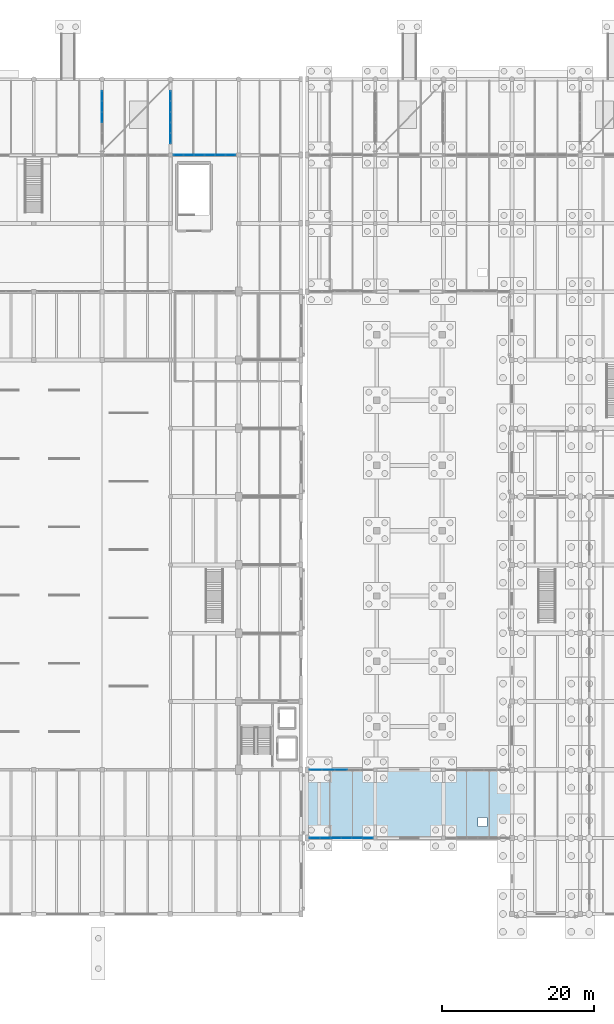
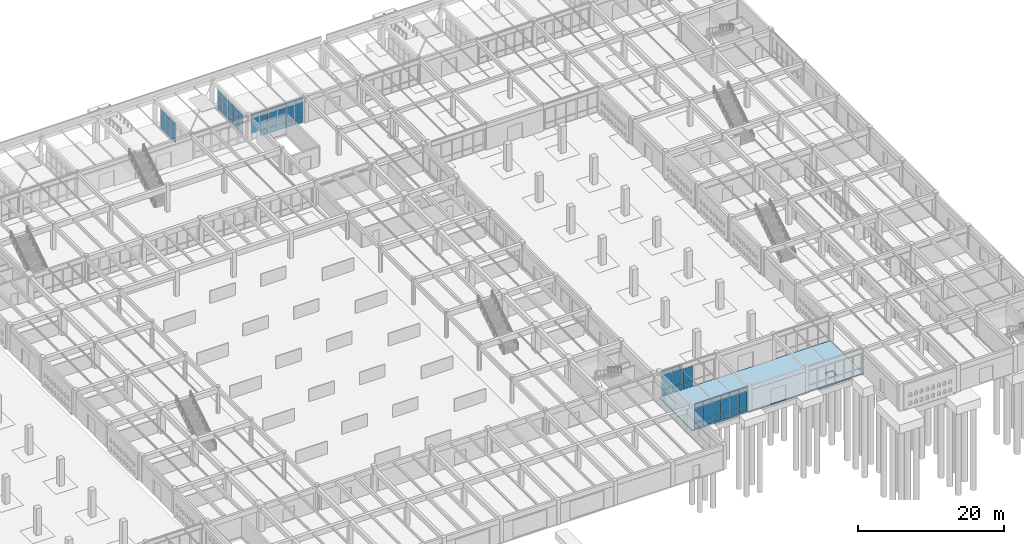
# One storey, part 150 of 186: 67 plates, 1 slab, 5 elements without a shape of their own.
"""IFC4 building model written with IfcOpenShell, lengths in metres."""

from ifc_helpers import new_model, si_unit, direction, frame, origin, origin_2d, place, context, subcontext, project, spatial, polyline, rectangle, outline, extrude, material, layer, layer_set, type_object, element, aggregate, save


model = new_model("IFC4")

# Units and contexts
model_context = context("Model", 3, precision=1e-05, world=origin(), true_north=direction((0.0, 1.0)))
body_context = subcontext(model_context, "Body", "Model", "MODEL_VIEW")
ifc_project = project(units=[si_unit("LENGTHUNIT", "METRE"), si_unit("AREAUNIT", "SQUARE_METRE"), si_unit("VOLUMEUNIT", "CUBIC_METRE"), si_unit("PLANEANGLEUNIT", "RADIAN"), si_unit("MASSUNIT", "GRAM", prefix="KILO")], contexts=[model_context])

# Site, building, storey
site_placement = place(None, origin())
site = spatial("IfcSite", under=ifc_project, at=site_placement, CompositionType="ELEMENT")
building_placement = place(site_placement, origin())
building = spatial("IfcBuilding", under=site, at=building_placement, Name="Ornek Quay Market", CompositionType="ELEMENT")
storey_placement = place(building_placement, origin())
storey = spatial("IfcBuildingStorey", under=building, at=storey_placement, Name="L00", CompositionType="ELEMENT", Elevation=0.0)

# Curtain wall, plates
ifc_material_1 = material(Name="Anodised bronze aluminium and triple low-e glass", Category="aluminium")
ifc_layer_1 = layer(ifc_material_1, 0.179931640625, Name="Anodised bronze aluminium and triple low-e glass", Category="aluminium")
ifc_layer_set_1 = layer_set([ifc_layer_1], Name="Anodised bronze aluminium and triple low-e glass")
curtain_wall_type_1 = type_object("IfcCurtainWallType", Name="CW-CONC-MOD1500", PredefinedType="USERDEFINED", material=ifc_layer_set_1)
curtain_wall_1_placement = place(storey_placement, origin())
curtain_wall_1 = element("IfcCurtainWall", 1, at=curtain_wall_1_placement, inside=storey, type_object=curtain_wall_type_1, Name="Curtain wall CW-028", ObjectType="CURTAIN WALL", PredefinedType="USERDEFINED")
ifc_material_2 = material(Name="Triple insulated low-e glass", Category="glass")
ifc_layer_2 = layer(ifc_material_2, 0.035888671875, Name="Triple insulated low-e glass", Category="glass")
ifc_layer_set_2 = layer_set([ifc_layer_2], Name="Triple insulated low-e glass")
plate_type_1 = type_object("IfcPlateType", Name="PL-CW-TRIPLE-36", PredefinedType="CURTAIN_PANEL", material=ifc_layer_set_2)
plate_1_placement = place(storey_placement, frame((127.014892578125, 20.0, 0.06005859375), z_axis=(0.0, 0.0, 1.0), x_axis=(1.0, 0.0, 0.0)))
plate_1 = element("IfcPlate", 2, at=plate_1_placement, type_object=plate_type_1, Name="CW-028 panel 1.1", PredefinedType="CURTAIN_PANEL", context=body_context, shape_type="SweptSolid", body=[
    extrude(rectangle(XDim=1.31005859375, YDim=0.035888671875, at=origin_2d()), origin(), (0.0, 0.0, 1.0), 0.9599609375),
])
plate_2_placement = place(storey_placement, frame((127.014892578125, 20.0, 1.080078125), z_axis=(0.0, 0.0, 1.0), x_axis=(1.0, 0.0, 0.0)))
plate_2 = element("IfcPlate", 3, at=plate_2_placement, type_object=plate_type_1, Name="CW-028 panel 1.2", PredefinedType="CURTAIN_PANEL", context=body_context, shape_type="SweptSolid", body=[
    extrude(rectangle(XDim=1.31005859375, YDim=0.035888671875, at=origin_2d()), origin(), (0.0, 0.0, 1.0), 2.31005859375),
])
plate_3_placement = place(storey_placement, frame((127.014892578125, 20.0, 3.4501953125), z_axis=(0.0, 0.0, 1.0), x_axis=(1.0, 0.0, 0.0)))
plate_3 = element("IfcPlate", 4, at=plate_3_placement, type_object=plate_type_1, Name="CW-028 panel 1.3", PredefinedType="CURTAIN_PANEL", context=body_context, shape_type="SweptSolid", body=[
    extrude(rectangle(XDim=1.31005859375, YDim=0.035888671875, at=origin_2d()), origin(), (0.0, 0.0, 1.0), 0.760009765625),
])
plate_4_placement = place(storey_placement, frame((128.39990234375, 20.0, 0.06005859375), z_axis=(0.0, 0.0, 1.0), x_axis=(1.0, 0.0, 0.0)))
plate_4 = element("IfcPlate", 5, at=plate_4_placement, type_object=plate_type_1, Name="CW-028 panel 2.1", PredefinedType="CURTAIN_PANEL", context=body_context, shape_type="SweptSolid", body=[
    extrude(rectangle(XDim=1.340087890625, YDim=0.035888671875, at=origin_2d()), origin(), (0.0, 0.0, 1.0), 0.9599609375),
])
plate_5_placement = place(storey_placement, frame((128.39990234375, 20.0, 1.080078125), z_axis=(0.0, 0.0, 1.0), x_axis=(1.0, 0.0, 0.0)))
plate_5 = element("IfcPlate", 6, at=plate_5_placement, type_object=plate_type_1, Name="CW-028 panel 2.2", PredefinedType="CURTAIN_PANEL", context=body_context, shape_type="SweptSolid", body=[
    extrude(rectangle(XDim=1.340087890625, YDim=0.035888671875, at=origin_2d()), origin(), (0.0, 0.0, 1.0), 2.31005859375),
])
plate_6_placement = place(storey_placement, frame((128.39990234375, 20.0, 3.4501953125), z_axis=(0.0, 0.0, 1.0), x_axis=(1.0, 0.0, 0.0)))
plate_6 = element("IfcPlate", 7, at=plate_6_placement, type_object=plate_type_1, Name="CW-028 panel 2.3", PredefinedType="CURTAIN_PANEL", context=body_context, shape_type="SweptSolid", body=[
    extrude(rectangle(XDim=1.340087890625, YDim=0.035888671875, at=origin_2d()), origin(), (0.0, 0.0, 1.0), 0.760009765625),
])
plate_7_placement = place(storey_placement, frame((129.800048828125, 20.0, 0.06005859375), z_axis=(0.0, 0.0, 1.0), x_axis=(1.0, 0.0, 0.0)))
plate_7 = element("IfcPlate", 8, at=plate_7_placement, type_object=plate_type_1, Name="CW-028 panel 3.1", PredefinedType="CURTAIN_PANEL", context=body_context, shape_type="SweptSolid", body=[
    extrude(rectangle(XDim=1.340087890625, YDim=0.035888671875, at=origin_2d()), origin(), (0.0, 0.0, 1.0), 0.9599609375),
])
plate_8_placement = place(storey_placement, frame((129.800048828125, 20.0, 1.080078125), z_axis=(0.0, 0.0, 1.0), x_axis=(1.0, 0.0, 0.0)))
plate_8 = element("IfcPlate", 9, at=plate_8_placement, type_object=plate_type_1, Name="CW-028 panel 3.2", PredefinedType="CURTAIN_PANEL", context=body_context, shape_type="SweptSolid", body=[
    extrude(rectangle(XDim=1.340087890625, YDim=0.035888671875, at=origin_2d()), origin(), (0.0, 0.0, 1.0), 2.31005859375),
])
plate_9_placement = place(storey_placement, frame((129.800048828125, 20.0, 3.4501953125), z_axis=(0.0, 0.0, 1.0), x_axis=(1.0, 0.0, 0.0)))
plate_9 = element("IfcPlate", 10, at=plate_9_placement, type_object=plate_type_1, Name="CW-028 panel 3.3", PredefinedType="CURTAIN_PANEL", context=body_context, shape_type="SweptSolid", body=[
    extrude(rectangle(XDim=1.340087890625, YDim=0.035888671875, at=origin_2d()), origin(), (0.0, 0.0, 1.0), 0.760009765625),
])
plate_10_placement = place(storey_placement, frame((131.199951171875, 20.0, 0.06005859375), z_axis=(0.0, 0.0, 1.0), x_axis=(1.0, 0.0, 0.0)))
plate_10 = element("IfcPlate", 11, at=plate_10_placement, type_object=plate_type_1, Name="CW-028 panel 4.1", PredefinedType="CURTAIN_PANEL", context=body_context, shape_type="SweptSolid", body=[
    extrude(rectangle(XDim=1.340087890625, YDim=0.035888671875, at=origin_2d()), origin(), (0.0, 0.0, 1.0), 0.9599609375),
])
plate_11_placement = place(storey_placement, frame((131.199951171875, 20.0, 1.080078125), z_axis=(0.0, 0.0, 1.0), x_axis=(1.0, 0.0, 0.0)))
plate_11 = element("IfcPlate", 12, at=plate_11_placement, type_object=plate_type_1, Name="CW-028 panel 4.2", PredefinedType="CURTAIN_PANEL", context=body_context, shape_type="SweptSolid", body=[
    extrude(rectangle(XDim=1.340087890625, YDim=0.035888671875, at=origin_2d()), origin(), (0.0, 0.0, 1.0), 2.31005859375),
])
plate_12_placement = place(storey_placement, frame((131.199951171875, 20.0, 3.4501953125), z_axis=(0.0, 0.0, 1.0), x_axis=(1.0, 0.0, 0.0)))
plate_12 = element("IfcPlate", 13, at=plate_12_placement, type_object=plate_type_1, Name="CW-028 panel 4.3", PredefinedType="CURTAIN_PANEL", context=body_context, shape_type="SweptSolid", body=[
    extrude(rectangle(XDim=1.340087890625, YDim=0.035888671875, at=origin_2d()), origin(), (0.0, 0.0, 1.0), 0.760009765625),
])
plate_13_placement = place(storey_placement, frame((132.60009765625, 20.0, 0.06005859375), z_axis=(0.0, 0.0, 1.0), x_axis=(1.0, 0.0, 0.0)))
plate_13 = element("IfcPlate", 14, at=plate_13_placement, type_object=plate_type_1, Name="CW-028 panel 5.1", PredefinedType="CURTAIN_PANEL", context=body_context, shape_type="SweptSolid", body=[
    extrude(rectangle(XDim=1.340087890625, YDim=0.035888671875, at=origin_2d()), origin(), (0.0, 0.0, 1.0), 0.9599609375),
])
plate_14_placement = place(storey_placement, frame((132.60009765625, 20.0, 1.080078125), z_axis=(0.0, 0.0, 1.0), x_axis=(1.0, 0.0, 0.0)))
plate_14 = element("IfcPlate", 15, at=plate_14_placement, type_object=plate_type_1, Name="CW-028 panel 5.2", PredefinedType="CURTAIN_PANEL", context=body_context, shape_type="SweptSolid", body=[
    extrude(rectangle(XDim=1.340087890625, YDim=0.035888671875, at=origin_2d()), origin(), (0.0, 0.0, 1.0), 2.31005859375),
])
plate_15_placement = place(storey_placement, frame((132.60009765625, 20.0, 3.4501953125), z_axis=(0.0, 0.0, 1.0), x_axis=(1.0, 0.0, 0.0)))
plate_15 = element("IfcPlate", 16, at=plate_15_placement, type_object=plate_type_1, Name="CW-028 panel 5.3", PredefinedType="CURTAIN_PANEL", context=body_context, shape_type="SweptSolid", body=[
    extrude(rectangle(XDim=1.340087890625, YDim=0.035888671875, at=origin_2d()), origin(), (0.0, 0.0, 1.0), 0.760009765625),
])
plate_16_placement = place(storey_placement, frame((133.985107421875, 20.0, 0.06005859375), z_axis=(0.0, 0.0, 1.0), x_axis=(1.0, 0.0, 0.0)))
plate_16 = element("IfcPlate", 17, at=plate_16_placement, type_object=plate_type_1, Name="CW-028 panel 6.1", PredefinedType="CURTAIN_PANEL", context=body_context, shape_type="SweptSolid", body=[
    extrude(rectangle(XDim=1.31005859375, YDim=0.035888671875, at=origin_2d()), origin(), (0.0, 0.0, 1.0), 0.9599609375),
])
plate_17_placement = place(storey_placement, frame((133.985107421875, 20.0, 1.080078125), z_axis=(0.0, 0.0, 1.0), x_axis=(1.0, 0.0, 0.0)))
plate_17 = element("IfcPlate", 18, at=plate_17_placement, type_object=plate_type_1, Name="CW-028 panel 6.2", PredefinedType="CURTAIN_PANEL", context=body_context, shape_type="SweptSolid", body=[
    extrude(rectangle(XDim=1.31005859375, YDim=0.035888671875, at=origin_2d()), origin(), (0.0, 0.0, 1.0), 2.31005859375),
])
plate_18_placement = place(storey_placement, frame((133.985107421875, 20.0, 3.4501953125), z_axis=(0.0, 0.0, 1.0), x_axis=(1.0, 0.0, 0.0)))
plate_18 = element("IfcPlate", 19, at=plate_18_placement, type_object=plate_type_1, Name="CW-028 panel 6.3", PredefinedType="CURTAIN_PANEL", context=body_context, shape_type="SweptSolid", body=[
    extrude(rectangle(XDim=1.31005859375, YDim=0.035888671875, at=origin_2d()), origin(), (0.0, 0.0, 1.0), 0.760009765625),
])
aggregate(curtain_wall_1, [plate_1, plate_2, plate_3, plate_4, plate_5, plate_6, plate_7, plate_8, plate_9, plate_10, plate_11, plate_12, plate_13, plate_14, plate_15, plate_16, plate_17, plate_18])

ifc_layer_3 = layer(ifc_material_1, 0.219970703125, Name="Anodised bronze aluminium and triple low-e glass", Category="aluminium")
ifc_layer_set_3 = layer_set([ifc_layer_3], Name="Anodised bronze aluminium and triple low-e glass")
curtain_wall_type_2 = type_object("IfcCurtainWallType", Name="CW-PORCH-MOD1500", PredefinedType="USERDEFINED", material=ifc_layer_set_3)
curtain_wall_2_placement = place(storey_placement, origin())
curtain_wall_2 = element("IfcCurtainWall", 20, at=curtain_wall_2_placement, inside=storey, type_object=curtain_wall_type_2, Name="Curtain wall CW-153", ObjectType="CURTAIN WALL", PredefinedType="USERDEFINED")
plate_19_placement = place(storey_placement, frame((99.0, 115.0, 0.06982421875), z_axis=(0.0, 0.0, 1.0), x_axis=(0.0, 1.0, 0.0)))
plate_19 = element("IfcPlate", 21, at=plate_19_placement, type_object=plate_type_1, Name="CW-153 panel 3.1", PredefinedType="CURTAIN_PANEL", context=body_context, shape_type="SweptSolid", body=[
    extrude(rectangle(XDim=1.330078125, YDim=0.035888671875, at=origin_2d()), origin(), (0.0, 0.0, 1.0), 0.945068359375),
])
plate_20_placement = place(storey_placement, frame((99.0, 115.0, 1.0849609375), z_axis=(0.0, 0.0, 1.0), x_axis=(0.0, 1.0, 0.0)))
plate_20 = element("IfcPlate", 22, at=plate_20_placement, type_object=plate_type_1, Name="CW-153 panel 3.2", PredefinedType="CURTAIN_PANEL", context=body_context, shape_type="SweptSolid", body=[
    extrude(rectangle(XDim=1.330078125, YDim=0.035888671875, at=origin_2d()), origin(), (0.0, 0.0, 1.0), 1.6298828125),
])
plate_21_placement = place(storey_placement, frame((99.0, 115.0, 2.784912109375), z_axis=(0.0, 0.0, 1.0), x_axis=(0.0, 1.0, 0.0)))
plate_21 = element("IfcPlate", 23, at=plate_21_placement, type_object=plate_type_1, Name="CW-153 panel 3.3", PredefinedType="CURTAIN_PANEL", context=body_context, shape_type="SweptSolid", body=[
    extrude(rectangle(XDim=1.330078125, YDim=0.035888671875, at=origin_2d()), origin(), (0.0, 0.0, 1.0), 0.7451171875),
])
plate_22_placement = place(storey_placement, frame((99.0, 116.39990234375, 0.06982421875), z_axis=(0.0, 0.0, 1.0), x_axis=(0.0, 1.0, 0.0)))
plate_22 = element("IfcPlate", 24, at=plate_22_placement, type_object=plate_type_1, Name="CW-153 panel 4.1", PredefinedType="CURTAIN_PANEL", context=body_context, shape_type="SweptSolid", body=[
    extrude(rectangle(XDim=1.330078125, YDim=0.035888671875, at=origin_2d()), origin(), (0.0, 0.0, 1.0), 0.945068359375),
])
plate_23_placement = place(storey_placement, frame((99.0, 116.39990234375, 1.0849609375), z_axis=(0.0, 0.0, 1.0), x_axis=(0.0, 1.0, 0.0)))
plate_23 = element("IfcPlate", 25, at=plate_23_placement, type_object=plate_type_1, Name="CW-153 panel 4.2", PredefinedType="CURTAIN_PANEL", context=body_context, shape_type="SweptSolid", body=[
    extrude(rectangle(XDim=1.330078125, YDim=0.035888671875, at=origin_2d()), origin(), (0.0, 0.0, 1.0), 1.6298828125),
])
plate_24_placement = place(storey_placement, frame((99.0, 116.39990234375, 2.784912109375), z_axis=(0.0, 0.0, 1.0), x_axis=(0.0, 1.0, 0.0)))
plate_24 = element("IfcPlate", 26, at=plate_24_placement, type_object=plate_type_1, Name="CW-153 panel 4.3", PredefinedType="CURTAIN_PANEL", context=body_context, shape_type="SweptSolid", body=[
    extrude(rectangle(XDim=1.330078125, YDim=0.035888671875, at=origin_2d()), origin(), (0.0, 0.0, 1.0), 0.7451171875),
])
plate_25_placement = place(storey_placement, frame((99.0, 117.782470703125, 0.06982421875), z_axis=(0.0, 0.0, 1.0), x_axis=(0.0, 1.0, 0.0)))
plate_25 = element("IfcPlate", 27, at=plate_25_placement, type_object=plate_type_1, Name="CW-153 panel 5.1", PredefinedType="CURTAIN_PANEL", context=body_context, shape_type="SweptSolid", body=[
    extrude(rectangle(XDim=1.294921875, YDim=0.035888671875, at=origin_2d()), origin(), (0.0, 0.0, 1.0), 0.945068359375),
])
plate_26_placement = place(storey_placement, frame((99.0, 117.782470703125, 1.0849609375), z_axis=(0.0, 0.0, 1.0), x_axis=(0.0, 1.0, 0.0)))
plate_26 = element("IfcPlate", 28, at=plate_26_placement, type_object=plate_type_1, Name="CW-153 panel 5.2", PredefinedType="CURTAIN_PANEL", context=body_context, shape_type="SweptSolid", body=[
    extrude(rectangle(XDim=1.294921875, YDim=0.035888671875, at=origin_2d()), origin(), (0.0, 0.0, 1.0), 1.6298828125),
])
plate_27_placement = place(storey_placement, frame((99.0, 117.782470703125, 2.784912109375), z_axis=(0.0, 0.0, 1.0), x_axis=(0.0, 1.0, 0.0)))
plate_27 = element("IfcPlate", 29, at=plate_27_placement, type_object=plate_type_1, Name="CW-153 panel 5.3", PredefinedType="CURTAIN_PANEL", context=body_context, shape_type="SweptSolid", body=[
    extrude(rectangle(XDim=1.294921875, YDim=0.035888671875, at=origin_2d()), origin(), (0.0, 0.0, 1.0), 0.7451171875),
])
aggregate(curtain_wall_2, [plate_19, plate_20, plate_21, plate_22, plate_23, plate_24, plate_25, plate_26, plate_27])

curtain_wall_3_placement = place(storey_placement, origin())
curtain_wall_3 = element("IfcCurtainWall", 30, at=curtain_wall_3_placement, inside=storey, type_object=curtain_wall_type_2, Name="Curtain wall CW-154", ObjectType="CURTAIN WALL", PredefinedType="USERDEFINED")
plate_28_placement = place(storey_placement, frame((108.0, 112.217529296875, 0.06982421875), z_axis=(0.0, 0.0, 1.0), x_axis=(0.0, 1.0, 0.0)))
plate_28 = element("IfcPlate", 31, at=plate_28_placement, type_object=plate_type_1, Name="CW-154 panel 1.1", PredefinedType="CURTAIN_PANEL", context=body_context, shape_type="SweptSolid", body=[
    extrude(rectangle(XDim=1.294921875, YDim=0.035888671875, at=origin_2d()), origin(), (0.0, 0.0, 1.0), 0.945068359375),
])
plate_29_placement = place(storey_placement, frame((108.0, 112.217529296875, 1.0849609375), z_axis=(0.0, 0.0, 1.0), x_axis=(0.0, 1.0, 0.0)))
plate_29 = element("IfcPlate", 32, at=plate_29_placement, type_object=plate_type_1, Name="CW-154 panel 1.2", PredefinedType="CURTAIN_PANEL", context=body_context, shape_type="SweptSolid", body=[
    extrude(rectangle(XDim=1.294921875, YDim=0.035888671875, at=origin_2d()), origin(), (0.0, 0.0, 1.0), 1.6298828125),
])
plate_30_placement = place(storey_placement, frame((108.0, 112.217529296875, 2.784912109375), z_axis=(0.0, 0.0, 1.0), x_axis=(0.0, 1.0, 0.0)))
plate_30 = element("IfcPlate", 33, at=plate_30_placement, type_object=plate_type_1, Name="CW-154 panel 1.3", PredefinedType="CURTAIN_PANEL", context=body_context, shape_type="SweptSolid", body=[
    extrude(rectangle(XDim=1.294921875, YDim=0.035888671875, at=origin_2d()), origin(), (0.0, 0.0, 1.0), 0.7451171875),
])
plate_31_placement = place(storey_placement, frame((108.0, 113.60009765625, 0.06982421875), z_axis=(0.0, 0.0, 1.0), x_axis=(0.0, 1.0, 0.0)))
plate_31 = element("IfcPlate", 34, at=plate_31_placement, type_object=plate_type_1, Name="CW-154 panel 2.1", PredefinedType="CURTAIN_PANEL", context=body_context, shape_type="SweptSolid", body=[
    extrude(rectangle(XDim=1.330078125, YDim=0.035888671875, at=origin_2d()), origin(), (0.0, 0.0, 1.0), 0.945068359375),
])
plate_32_placement = place(storey_placement, frame((108.0, 113.60009765625, 1.0849609375), z_axis=(0.0, 0.0, 1.0), x_axis=(0.0, 1.0, 0.0)))
plate_32 = element("IfcPlate", 35, at=plate_32_placement, type_object=plate_type_1, Name="CW-154 panel 2.2", PredefinedType="CURTAIN_PANEL", context=body_context, shape_type="SweptSolid", body=[
    extrude(rectangle(XDim=1.330078125, YDim=0.035888671875, at=origin_2d()), origin(), (0.0, 0.0, 1.0), 1.6298828125),
])
plate_33_placement = place(storey_placement, frame((108.0, 113.60009765625, 2.784912109375), z_axis=(0.0, 0.0, 1.0), x_axis=(0.0, 1.0, 0.0)))
plate_33 = element("IfcPlate", 36, at=plate_33_placement, type_object=plate_type_1, Name="CW-154 panel 2.3", PredefinedType="CURTAIN_PANEL", context=body_context, shape_type="SweptSolid", body=[
    extrude(rectangle(XDim=1.330078125, YDim=0.035888671875, at=origin_2d()), origin(), (0.0, 0.0, 1.0), 0.7451171875),
])
plate_34_placement = place(storey_placement, frame((108.0, 115.0, 0.06982421875), z_axis=(0.0, 0.0, 1.0), x_axis=(0.0, 1.0, 0.0)))
plate_34 = element("IfcPlate", 37, at=plate_34_placement, type_object=plate_type_1, Name="CW-154 panel 3.1", PredefinedType="CURTAIN_PANEL", context=body_context, shape_type="SweptSolid", body=[
    extrude(rectangle(XDim=1.330078125, YDim=0.035888671875, at=origin_2d()), origin(), (0.0, 0.0, 1.0), 0.945068359375),
])
plate_35_placement = place(storey_placement, frame((108.0, 115.0, 1.0849609375), z_axis=(0.0, 0.0, 1.0), x_axis=(0.0, 1.0, 0.0)))
plate_35 = element("IfcPlate", 38, at=plate_35_placement, type_object=plate_type_1, Name="CW-154 panel 3.2", PredefinedType="CURTAIN_PANEL", context=body_context, shape_type="SweptSolid", body=[
    extrude(rectangle(XDim=1.330078125, YDim=0.035888671875, at=origin_2d()), origin(), (0.0, 0.0, 1.0), 1.6298828125),
])
plate_36_placement = place(storey_placement, frame((108.0, 115.0, 2.784912109375), z_axis=(0.0, 0.0, 1.0), x_axis=(0.0, 1.0, 0.0)))
plate_36 = element("IfcPlate", 39, at=plate_36_placement, type_object=plate_type_1, Name="CW-154 panel 3.3", PredefinedType="CURTAIN_PANEL", context=body_context, shape_type="SweptSolid", body=[
    extrude(rectangle(XDim=1.330078125, YDim=0.035888671875, at=origin_2d()), origin(), (0.0, 0.0, 1.0), 0.7451171875),
])
plate_37_placement = place(storey_placement, frame((108.0, 116.39990234375, 0.06982421875), z_axis=(0.0, 0.0, 1.0), x_axis=(0.0, 1.0, 0.0)))
plate_37 = element("IfcPlate", 40, at=plate_37_placement, type_object=plate_type_1, Name="CW-154 panel 4.1", PredefinedType="CURTAIN_PANEL", context=body_context, shape_type="SweptSolid", body=[
    extrude(rectangle(XDim=1.330078125, YDim=0.035888671875, at=origin_2d()), origin(), (0.0, 0.0, 1.0), 0.945068359375),
])
plate_38_placement = place(storey_placement, frame((108.0, 116.39990234375, 1.0849609375), z_axis=(0.0, 0.0, 1.0), x_axis=(0.0, 1.0, 0.0)))
plate_38 = element("IfcPlate", 41, at=plate_38_placement, type_object=plate_type_1, Name="CW-154 panel 4.2", PredefinedType="CURTAIN_PANEL", context=body_context, shape_type="SweptSolid", body=[
    extrude(rectangle(XDim=1.330078125, YDim=0.035888671875, at=origin_2d()), origin(), (0.0, 0.0, 1.0), 1.6298828125),
])
plate_39_placement = place(storey_placement, frame((108.0, 116.39990234375, 2.784912109375), z_axis=(0.0, 0.0, 1.0), x_axis=(0.0, 1.0, 0.0)))
plate_39 = element("IfcPlate", 42, at=plate_39_placement, type_object=plate_type_1, Name="CW-154 panel 4.3", PredefinedType="CURTAIN_PANEL", context=body_context, shape_type="SweptSolid", body=[
    extrude(rectangle(XDim=1.330078125, YDim=0.035888671875, at=origin_2d()), origin(), (0.0, 0.0, 1.0), 0.7451171875),
])
plate_40_placement = place(storey_placement, frame((108.0, 117.782470703125, 0.06982421875), z_axis=(0.0, 0.0, 1.0), x_axis=(0.0, 1.0, 0.0)))
plate_40 = element("IfcPlate", 43, at=plate_40_placement, type_object=plate_type_1, Name="CW-154 panel 5.1", PredefinedType="CURTAIN_PANEL", context=body_context, shape_type="SweptSolid", body=[
    extrude(rectangle(XDim=1.294921875, YDim=0.035888671875, at=origin_2d()), origin(), (0.0, 0.0, 1.0), 0.945068359375),
])
plate_41_placement = place(storey_placement, frame((108.0, 117.782470703125, 1.0849609375), z_axis=(0.0, 0.0, 1.0), x_axis=(0.0, 1.0, 0.0)))
plate_41 = element("IfcPlate", 44, at=plate_41_placement, type_object=plate_type_1, Name="CW-154 panel 5.2", PredefinedType="CURTAIN_PANEL", context=body_context, shape_type="SweptSolid", body=[
    extrude(rectangle(XDim=1.294921875, YDim=0.035888671875, at=origin_2d()), origin(), (0.0, 0.0, 1.0), 1.6298828125),
])
plate_42_placement = place(storey_placement, frame((108.0, 117.782470703125, 2.784912109375), z_axis=(0.0, 0.0, 1.0), x_axis=(0.0, 1.0, 0.0)))
plate_42 = element("IfcPlate", 45, at=plate_42_placement, type_object=plate_type_1, Name="CW-154 panel 5.3", PredefinedType="CURTAIN_PANEL", context=body_context, shape_type="SweptSolid", body=[
    extrude(rectangle(XDim=1.294921875, YDim=0.035888671875, at=origin_2d()), origin(), (0.0, 0.0, 1.0), 0.7451171875),
])
aggregate(curtain_wall_3, [plate_28, plate_29, plate_30, plate_31, plate_32, plate_33, plate_34, plate_35, plate_36, plate_37, plate_38, plate_39, plate_40, plate_41, plate_42])

ifc_layer_4 = layer(ifc_material_1, 0.199951171875, Name="Anodised bronze aluminium and triple low-e glass", Category="aluminium")
ifc_layer_set_4 = layer_set([ifc_layer_4], Name="Anodised bronze aluminium and triple low-e glass")
curtain_wall_type_3 = type_object("IfcCurtainWallType", Name="CW-CONC-MOD1800", PredefinedType="USERDEFINED", material=ifc_layer_set_4)
curtain_wall_4_placement = place(storey_placement, origin())
curtain_wall_4 = element("IfcCurtainWall", 46, at=curtain_wall_4_placement, inside=storey, type_object=curtain_wall_type_3, Name="Curtain wall CW-027", ObjectType="CURTAIN WALL", PredefinedType="USERDEFINED")
ifc_layer_5 = layer(ifc_material_2, 0.0419921875, Name="Triple insulated low-e glass", Category="glass")
ifc_layer_set_5 = layer_set([ifc_layer_5], Name="Triple insulated low-e glass")
plate_type_2 = type_object("IfcPlateType", Name="PL-CW-TRIPLE-42", PredefinedType="CURTAIN_PANEL", material=ifc_layer_set_5)
plate_43_placement = place(storey_placement, frame((127.15625, 29.0, 0.06494140625), z_axis=(0.0, 0.0, 1.0), x_axis=(1.0, 0.0, 0.0)))
plate_43 = element("IfcPlate", 47, at=plate_43_placement, type_object=plate_type_2, Name="CW-027 panel 1.1", PredefinedType="CURTAIN_PANEL", context=body_context, shape_type="SweptSolid", body=[
    extrude(rectangle(XDim=1.58251953125, YDim=0.0419921875, at=origin_2d()), origin(), (0.0, 0.0, 1.0), 0.952392578125),
])
plate_44_placement = place(storey_placement, frame((127.15625, 29.0, 1.08251953125), z_axis=(0.0, 0.0, 1.0), x_axis=(1.0, 0.0, 0.0)))
plate_44 = element("IfcPlate", 48, at=plate_44_placement, type_object=plate_type_2, Name="CW-027 panel 1.2", PredefinedType="CURTAIN_PANEL", context=body_context, shape_type="SweptSolid", body=[
    extrude(rectangle(XDim=1.58251953125, YDim=0.0419921875, at=origin_2d()), origin(), (0.0, 0.0, 1.0), 2.304931640625),
])
plate_45_placement = place(storey_placement, frame((127.15625, 29.0, 3.45263671875), z_axis=(0.0, 0.0, 1.0), x_axis=(1.0, 0.0, 0.0)))
plate_45 = element("IfcPlate", 49, at=plate_45_placement, type_object=plate_type_2, Name="CW-027 panel 1.3", PredefinedType="CURTAIN_PANEL", context=body_context, shape_type="SweptSolid", body=[
    extrude(rectangle(XDim=1.58251953125, YDim=0.0419921875, at=origin_2d()), origin(), (0.0, 0.0, 1.0), 0.75244140625),
])
plate_46_placement = place(storey_placement, frame((128.820068359375, 29.0, 0.06494140625), z_axis=(0.0, 0.0, 1.0), x_axis=(1.0, 0.0, 0.0)))
plate_46 = element("IfcPlate", 50, at=plate_46_placement, type_object=plate_type_2, Name="CW-027 panel 2.1", PredefinedType="CURTAIN_PANEL", context=body_context, shape_type="SweptSolid", body=[
    extrude(rectangle(XDim=1.614990234375, YDim=0.0419921875, at=origin_2d()), origin(), (0.0, 0.0, 1.0), 0.952392578125),
])
plate_47_placement = place(storey_placement, frame((128.820068359375, 29.0, 1.08251953125), z_axis=(0.0, 0.0, 1.0), x_axis=(1.0, 0.0, 0.0)))
plate_47 = element("IfcPlate", 51, at=plate_47_placement, type_object=plate_type_2, Name="CW-027 panel 2.2", PredefinedType="CURTAIN_PANEL", context=body_context, shape_type="SweptSolid", body=[
    extrude(rectangle(XDim=1.614990234375, YDim=0.0419921875, at=origin_2d()), origin(), (0.0, 0.0, 1.0), 2.304931640625),
])
plate_48_placement = place(storey_placement, frame((128.820068359375, 29.0, 3.45263671875), z_axis=(0.0, 0.0, 1.0), x_axis=(1.0, 0.0, 0.0)))
plate_48 = element("IfcPlate", 52, at=plate_48_placement, type_object=plate_type_2, Name="CW-027 panel 2.3", PredefinedType="CURTAIN_PANEL", context=body_context, shape_type="SweptSolid", body=[
    extrude(rectangle(XDim=1.614990234375, YDim=0.0419921875, at=origin_2d()), origin(), (0.0, 0.0, 1.0), 0.75244140625),
])
plate_49_placement = place(storey_placement, frame((130.5, 29.0, 0.06494140625), z_axis=(0.0, 0.0, 1.0), x_axis=(1.0, 0.0, 0.0)))
plate_49 = element("IfcPlate", 53, at=plate_49_placement, type_object=plate_type_2, Name="CW-027 panel 3.1", PredefinedType="CURTAIN_PANEL", context=body_context, shape_type="SweptSolid", body=[
    extrude(rectangle(XDim=1.614990234375, YDim=0.0419921875, at=origin_2d()), origin(), (0.0, 0.0, 1.0), 0.952392578125),
])
plate_50_placement = place(storey_placement, frame((130.5, 29.0, 1.08251953125), z_axis=(0.0, 0.0, 1.0), x_axis=(1.0, 0.0, 0.0)))
plate_50 = element("IfcPlate", 54, at=plate_50_placement, type_object=plate_type_2, Name="CW-027 panel 3.2", PredefinedType="CURTAIN_PANEL", context=body_context, shape_type="SweptSolid", body=[
    extrude(rectangle(XDim=1.614990234375, YDim=0.0419921875, at=origin_2d()), origin(), (0.0, 0.0, 1.0), 2.304931640625),
])
aggregate(curtain_wall_4, [plate_43, plate_44, plate_45, plate_46, plate_47, plate_48, plate_49, plate_50])

curtain_wall_5_placement = place(storey_placement, origin())
curtain_wall_5 = element("IfcCurtainWall", 55, at=curtain_wall_5_placement, inside=storey, type_object=curtain_wall_type_2, Name="Curtain wall CW-048", ObjectType="CURTAIN WALL", PredefinedType="USERDEFINED")
plate_51_placement = place(storey_placement, frame((109.060302734375, 110.0, 1.0849609375), z_axis=(0.0, 0.0, 1.0), x_axis=(1.0, 0.0, 0.0)))
plate_51 = element("IfcPlate", 56, at=plate_51_placement, type_object=plate_type_2, Name="CW-048 panel 1.2", PredefinedType="CURTAIN_PANEL", context=body_context, shape_type="SweptSolid", body=[
    extrude(rectangle(XDim=1.270751953125, YDim=0.0419921875, at=origin_2d()), origin(), (0.0, 0.0, 1.0), 2.27001953125),
])
plate_52_placement = place(storey_placement, frame((109.060302734375, 110.0, 3.425048828125), z_axis=(0.0, 0.0, 1.0), x_axis=(1.0, 0.0, 0.0)))
plate_52 = element("IfcPlate", 57, at=plate_52_placement, type_object=plate_type_2, Name="CW-048 panel 1.3", PredefinedType="CURTAIN_PANEL", context=body_context, shape_type="SweptSolid", body=[
    extrude(rectangle(XDim=1.270751953125, YDim=0.0419921875, at=origin_2d()), origin(), (0.0, 0.0, 1.0), 0.7451171875),
])
plate_53_placement = place(storey_placement, frame((110.425048828125, 110.0, 0.06982421875), z_axis=(0.0, 0.0, 1.0), x_axis=(1.0, 0.0, 0.0)))
plate_53 = element("IfcPlate", 58, at=plate_53_placement, type_object=plate_type_2, Name="CW-048 panel 2.1", PredefinedType="CURTAIN_PANEL", context=body_context, shape_type="SweptSolid", body=[
    extrude(rectangle(XDim=1.308349609375, YDim=0.0419921875, at=origin_2d()), origin(), (0.0, 0.0, 1.0), 0.945068359375),
])
plate_54_placement = place(storey_placement, frame((110.425048828125, 110.0, 1.0849609375), z_axis=(0.0, 0.0, 1.0), x_axis=(1.0, 0.0, 0.0)))
plate_54 = element("IfcPlate", 59, at=plate_54_placement, type_object=plate_type_2, Name="CW-048 panel 2.2", PredefinedType="CURTAIN_PANEL", context=body_context, shape_type="SweptSolid", body=[
    extrude(rectangle(XDim=1.308349609375, YDim=0.0419921875, at=origin_2d()), origin(), (0.0, 0.0, 1.0), 2.27001953125),
])
plate_55_placement = place(storey_placement, frame((110.425048828125, 110.0, 3.425048828125), z_axis=(0.0, 0.0, 1.0), x_axis=(1.0, 0.0, 0.0)))
plate_55 = element("IfcPlate", 60, at=plate_55_placement, type_object=plate_type_2, Name="CW-048 panel 2.3", PredefinedType="CURTAIN_PANEL", context=body_context, shape_type="SweptSolid", body=[
    extrude(rectangle(XDim=1.308349609375, YDim=0.0419921875, at=origin_2d()), origin(), (0.0, 0.0, 1.0), 0.7451171875),
])
plate_56_placement = place(storey_placement, frame((111.808349609375, 110.0, 0.06982421875), z_axis=(0.0, 0.0, 1.0), x_axis=(1.0, 0.0, 0.0)))
plate_56 = element("IfcPlate", 61, at=plate_56_placement, type_object=plate_type_2, Name="CW-048 panel 3.1", PredefinedType="CURTAIN_PANEL", context=body_context, shape_type="SweptSolid", body=[
    extrude(rectangle(XDim=1.308349609375, YDim=0.0419921875, at=origin_2d()), origin(), (0.0, 0.0, 1.0), 0.945068359375),
])
plate_57_placement = place(storey_placement, frame((111.808349609375, 110.0, 1.0849609375), z_axis=(0.0, 0.0, 1.0), x_axis=(1.0, 0.0, 0.0)))
plate_57 = element("IfcPlate", 62, at=plate_57_placement, type_object=plate_type_2, Name="CW-048 panel 3.2", PredefinedType="CURTAIN_PANEL", context=body_context, shape_type="SweptSolid", body=[
    extrude(rectangle(XDim=1.308349609375, YDim=0.0419921875, at=origin_2d()), origin(), (0.0, 0.0, 1.0), 2.27001953125),
])
plate_58_placement = place(storey_placement, frame((111.808349609375, 110.0, 3.425048828125), z_axis=(0.0, 0.0, 1.0), x_axis=(1.0, 0.0, 0.0)))
plate_58 = element("IfcPlate", 63, at=plate_58_placement, type_object=plate_type_2, Name="CW-048 panel 3.3", PredefinedType="CURTAIN_PANEL", context=body_context, shape_type="SweptSolid", body=[
    extrude(rectangle(XDim=1.308349609375, YDim=0.0419921875, at=origin_2d()), origin(), (0.0, 0.0, 1.0), 0.7451171875),
])
plate_59_placement = place(storey_placement, frame((113.191650390625, 110.0, 0.06982421875), z_axis=(0.0, 0.0, 1.0), x_axis=(1.0, 0.0, 0.0)))
plate_59 = element("IfcPlate", 64, at=plate_59_placement, type_object=plate_type_2, Name="CW-048 panel 4.1", PredefinedType="CURTAIN_PANEL", context=body_context, shape_type="SweptSolid", body=[
    extrude(rectangle(XDim=1.308349609375, YDim=0.0419921875, at=origin_2d()), origin(), (0.0, 0.0, 1.0), 0.945068359375),
])
plate_60_placement = place(storey_placement, frame((113.191650390625, 110.0, 1.0849609375), z_axis=(0.0, 0.0, 1.0), x_axis=(1.0, 0.0, 0.0)))
plate_60 = element("IfcPlate", 65, at=plate_60_placement, type_object=plate_type_2, Name="CW-048 panel 4.2", PredefinedType="CURTAIN_PANEL", context=body_context, shape_type="SweptSolid", body=[
    extrude(rectangle(XDim=1.308349609375, YDim=0.0419921875, at=origin_2d()), origin(), (0.0, 0.0, 1.0), 2.27001953125),
])
plate_61_placement = place(storey_placement, frame((113.191650390625, 110.0, 3.425048828125), z_axis=(0.0, 0.0, 1.0), x_axis=(1.0, 0.0, 0.0)))
plate_61 = element("IfcPlate", 66, at=plate_61_placement, type_object=plate_type_2, Name="CW-048 panel 4.3", PredefinedType="CURTAIN_PANEL", context=body_context, shape_type="SweptSolid", body=[
    extrude(rectangle(XDim=1.308349609375, YDim=0.0419921875, at=origin_2d()), origin(), (0.0, 0.0, 1.0), 0.7451171875),
])
plate_62_placement = place(storey_placement, frame((114.574951171875, 110.0, 0.06982421875), z_axis=(0.0, 0.0, 1.0), x_axis=(1.0, 0.0, 0.0)))
plate_62 = element("IfcPlate", 67, at=plate_62_placement, type_object=plate_type_2, Name="CW-048 panel 5.1", PredefinedType="CURTAIN_PANEL", context=body_context, shape_type="SweptSolid", body=[
    extrude(rectangle(XDim=1.308349609375, YDim=0.0419921875, at=origin_2d()), origin(), (0.0, 0.0, 1.0), 0.945068359375),
])
plate_63_placement = place(storey_placement, frame((114.574951171875, 110.0, 1.0849609375), z_axis=(0.0, 0.0, 1.0), x_axis=(1.0, 0.0, 0.0)))
plate_63 = element("IfcPlate", 68, at=plate_63_placement, type_object=plate_type_2, Name="CW-048 panel 5.2", PredefinedType="CURTAIN_PANEL", context=body_context, shape_type="SweptSolid", body=[
    extrude(rectangle(XDim=1.308349609375, YDim=0.0419921875, at=origin_2d()), origin(), (0.0, 0.0, 1.0), 2.27001953125),
])
plate_64_placement = place(storey_placement, frame((114.574951171875, 110.0, 3.425048828125), z_axis=(0.0, 0.0, 1.0), x_axis=(1.0, 0.0, 0.0)))
plate_64 = element("IfcPlate", 69, at=plate_64_placement, type_object=plate_type_2, Name="CW-048 panel 5.3", PredefinedType="CURTAIN_PANEL", context=body_context, shape_type="SweptSolid", body=[
    extrude(rectangle(XDim=1.308349609375, YDim=0.0419921875, at=origin_2d()), origin(), (0.0, 0.0, 1.0), 0.7451171875),
])
plate_65_placement = place(storey_placement, frame((115.939697265625, 110.0, 0.06982421875), z_axis=(0.0, 0.0, 1.0), x_axis=(1.0, 0.0, 0.0)))
plate_65 = element("IfcPlate", 70, at=plate_65_placement, type_object=plate_type_2, Name="CW-048 panel 6.1", PredefinedType="CURTAIN_PANEL", context=body_context, shape_type="SweptSolid", body=[
    extrude(rectangle(XDim=1.270751953125, YDim=0.0419921875, at=origin_2d()), origin(), (0.0, 0.0, 1.0), 0.945068359375),
])
plate_66_placement = place(storey_placement, frame((115.939697265625, 110.0, 1.0849609375), z_axis=(0.0, 0.0, 1.0), x_axis=(1.0, 0.0, 0.0)))
plate_66 = element("IfcPlate", 71, at=plate_66_placement, type_object=plate_type_2, Name="CW-048 panel 6.2", PredefinedType="CURTAIN_PANEL", context=body_context, shape_type="SweptSolid", body=[
    extrude(rectangle(XDim=1.270751953125, YDim=0.0419921875, at=origin_2d()), origin(), (0.0, 0.0, 1.0), 2.27001953125),
])
plate_67_placement = place(storey_placement, frame((115.939697265625, 110.0, 3.425048828125), z_axis=(0.0, 0.0, 1.0), x_axis=(1.0, 0.0, 0.0)))
plate_67 = element("IfcPlate", 72, at=plate_67_placement, type_object=plate_type_2, Name="CW-048 panel 6.3", PredefinedType="CURTAIN_PANEL", context=body_context, shape_type="SweptSolid", body=[
    extrude(rectangle(XDim=1.270751953125, YDim=0.0419921875, at=origin_2d()), origin(), (0.0, 0.0, 1.0), 0.7451171875),
])
aggregate(curtain_wall_5, [plate_51, plate_52, plate_53, plate_54, plate_55, plate_56, plate_57, plate_58, plate_59, plate_60, plate_61, plate_62, plate_63, plate_64, plate_65, plate_66, plate_67])

# Slab
ifc_material_3 = material(Name="Concrete C35/45", Category="concrete")
ifc_layer_6 = layer(ifc_material_3, 0.22998046875, Name="Concrete C35/45", Category="concrete")
ifc_layer_set_6 = layer_set([ifc_layer_6], Name="Concrete C35/45")
slab_type = type_object("IfcSlabType", Name="SL-FLR-CONC-230", PredefinedType="FLOOR", material=ifc_layer_set_6)
slab_placement = place(storey_placement, frame((0.0, 0.0, -0.22998046875)))
element("IfcSlab", 73, at=slab_placement, inside=storey, type_object=slab_type, Name="Slab S-018 (L00)", PredefinedType="FLOOR", context=body_context, shape_type="SweptSolid", body=[
    extrude(outline(polyline([(126.0, 20.0), (153.0, 20.0), (153.0, 29.0), (126.0, 29.0), (126.0, 20.0)]), holes=[polyline([(148.5, 22.699951171875), (149.699951171875, 22.699951171875), (149.699951171875, 21.5), (148.5, 21.5), (148.5, 22.699951171875)])]), origin(), (0.0, 0.0, 1.0), 0.22998046875),
])

save(model, "model.ifc")
